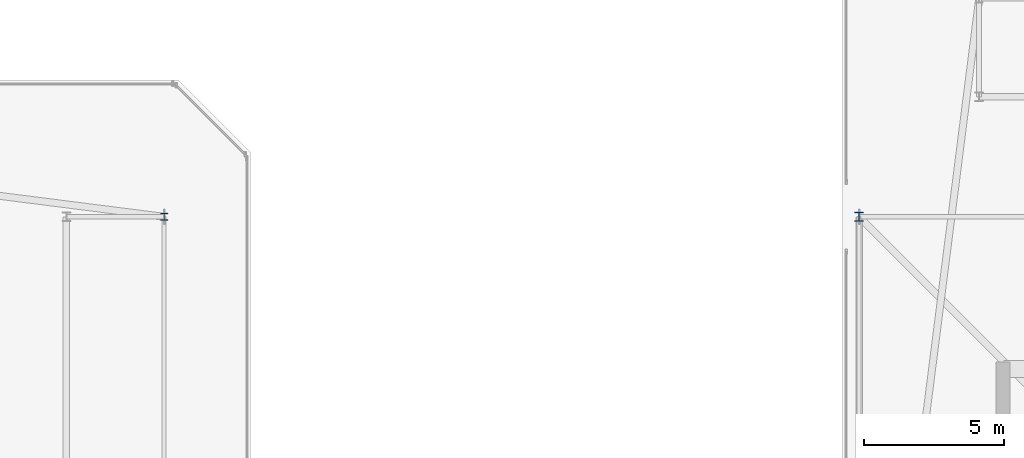
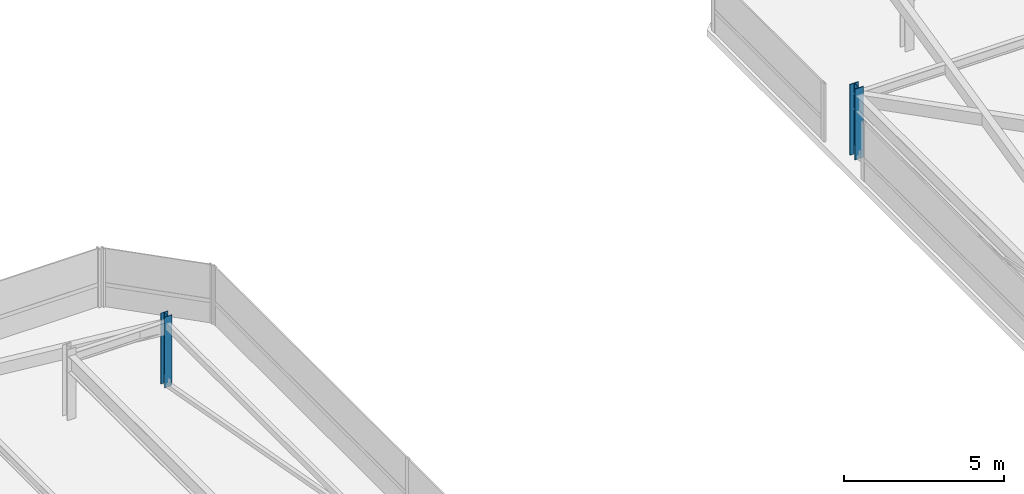
# One storey, part 5 of 44: 2 columns.
"""IFC4 building model written with IfcOpenShell, lengths in metres."""

from ifc_helpers import new_model, si_unit, direction, frame, origin, origin_2d, place, context, subcontext, project, spatial, i_section, extrude, material, material_profile, profile_set, type_object, element, save


model = new_model("IFC4")

# Units and contexts
model_context = context("Model", 3, precision=1e-05, world=origin(), true_north=direction((0.0, 1.0)))
body_context = subcontext(model_context, "Body", "Model", "MODEL_VIEW")
ifc_project = project(units=[si_unit("LENGTHUNIT", "METRE"), si_unit("AREAUNIT", "SQUARE_METRE"), si_unit("VOLUMEUNIT", "CUBIC_METRE"), si_unit("PLANEANGLEUNIT", "RADIAN"), si_unit("MASSUNIT", "GRAM", prefix="KILO")], contexts=[model_context])

# Site, building, storey
site_placement = place(None, origin())
site = spatial("IfcSite", under=ifc_project, at=site_placement, CompositionType="ELEMENT")
building_placement = place(site_placement, origin())
building = spatial("IfcBuilding", under=site, at=building_placement, Name="Thornwick Lancets Civic Towers", CompositionType="ELEMENT")
storey_placement = place(building_placement, frame((0.0, 0.0, 294.89990234375)))
storey = spatial("IfcBuildingStorey", under=building, at=storey_placement, Name="C06", CompositionType="ELEMENT", Elevation=294.89990234375)

# Columns
ifc_material = material(Name="Steel S355JR", Category="steel")
ifc_material_profile_1 = material_profile(ifc_material, i_section(OverallWidth=0.30908203125, OverallDepth=0.320556640625, WebThickness=0.013916015625, FlangeThickness=0.021728515625, FilletRadius=0.01513671875, at=origin_2d()), Name="UKC 305x305x137")
ifc_profile_set_1 = profile_set([ifc_material_profile_1], Name="Steel S355JR")
column_type_1 = type_object("IfcColumnType", Name="COL_UKC_137", PredefinedType="COLUMN", material=ifc_profile_set_1)
column_1_placement = place(storey_placement, frame((71.199951171875, 40.0, 0.0), z_axis=(0.0, 0.0, 1.0), x_axis=(1.0, 0.0, 0.0)))
element("IfcColumn", 1, at=column_1_placement, inside=storey, type_object=column_type_1, Name="C06 Spine Mega-Column B09", PredefinedType="COLUMN", context=body_context, shape_type="SweptSolid", body=[
    extrude(i_section(OverallWidth=0.30908203125, OverallDepth=0.320556640625, WebThickness=0.013916015625, FlangeThickness=0.021728515625, FilletRadius=0.01513671875, at=origin_2d()), origin(), (0.0, 0.0, 1.0), 2.7001953125),
])
ifc_material_profile_2 = material_profile(ifc_material, i_section(OverallWidth=0.25634765625, OverallDepth=0.26025390625, WebThickness=0.01025390625, FlangeThickness=0.017333984375, FilletRadius=0.0126953125, at=origin_2d()), Name="UKC 254x254x89")
ifc_profile_set_2 = profile_set([ifc_material_profile_2], Name="Steel S355JR")
column_type_2 = type_object("IfcColumnType", Name="COL_UKC_89", PredefinedType="COLUMN", material=ifc_profile_set_2)
column_2_placement = place(storey_placement, frame((46.300048828125, 40.0, 0.0), z_axis=(0.0, 0.0, 1.0), x_axis=(1.0, 0.0, 0.0)))
element("IfcColumn", 2, at=column_2_placement, inside=storey, type_object=column_type_2, Name="C06 Block Perimeter Column A06", PredefinedType="COLUMN", context=body_context, shape_type="SweptSolid", body=[
    extrude(i_section(OverallWidth=0.25634765625, OverallDepth=0.26025390625, WebThickness=0.01025390625, FlangeThickness=0.017333984375, FilletRadius=0.0126953125, at=origin_2d()), origin(), (0.0, 0.0, 1.0), 2.7001953125),
])

save(model, "model.ifc")
